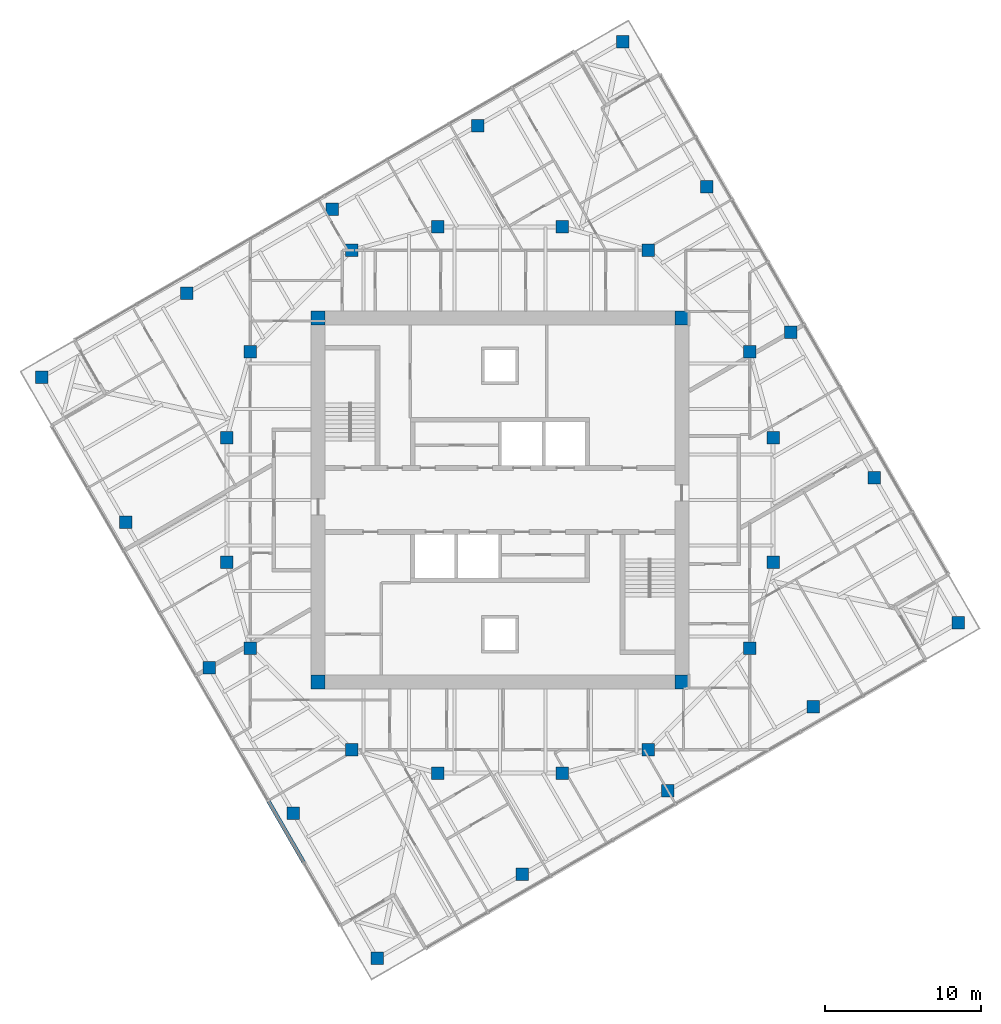
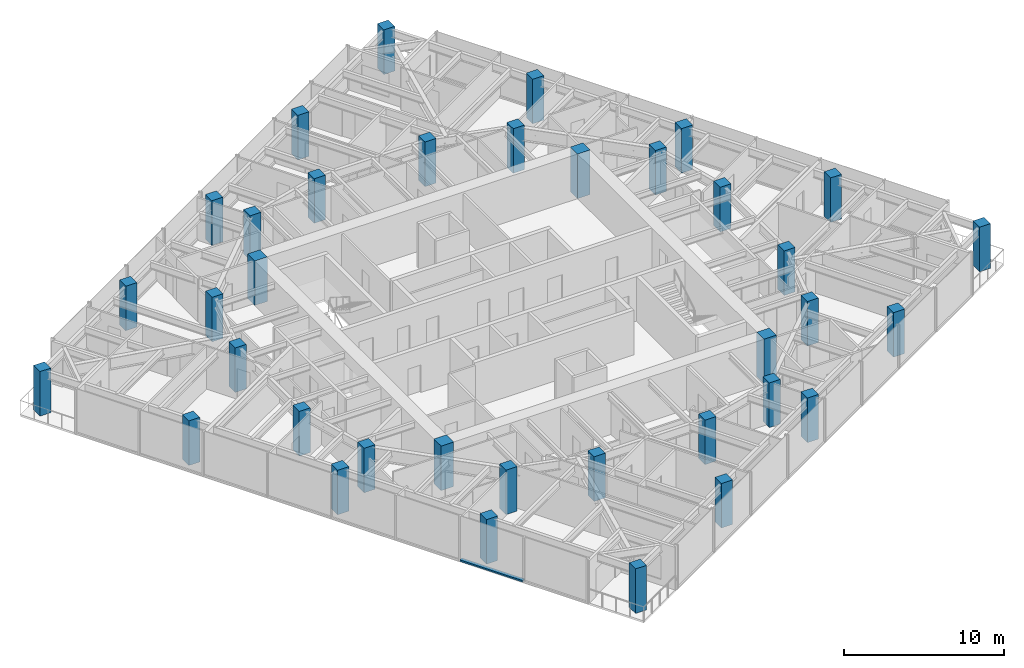
# One storey, part 1 of 12: 36 columns, 1 member, 1 element without a shape of its own.
"""IFC4 building model written with IfcOpenShell, lengths in metres."""

from ifc_helpers import new_model, si_unit, direction, frame, origin, origin_2d, place, context, subcontext, project, spatial, rectangle, extrude, material, material_profile, profile_set, type_object, element, aggregate, save


model = new_model("IFC4")

# Units and contexts
model_context = context("Model", 3, precision=1e-05, world=origin(), true_north=direction((0.0, 1.0)))
body_context = subcontext(model_context, "Body", "Model", "MODEL_VIEW")
ifc_project = project(units=[si_unit("LENGTHUNIT", "METRE"), si_unit("AREAUNIT", "SQUARE_METRE"), si_unit("VOLUMEUNIT", "CUBIC_METRE"), si_unit("PLANEANGLEUNIT", "RADIAN"), si_unit("MASSUNIT", "GRAM", prefix="KILO")], contexts=[model_context])

# Site, building, storey
site_placement = place(None, origin())
site = spatial("IfcSite", under=ifc_project, at=site_placement, CompositionType="ELEMENT")
building_placement = place(site_placement, origin())
building = spatial("IfcBuilding", under=site, at=building_placement, Name="Torsade Residences", CompositionType="ELEMENT")
storey_placement = place(building_placement, frame((0.0, 0.0, 221.800048828125)))
storey = spatial("IfcBuildingStorey", under=building, at=storey_placement, Name="L61", CompositionType="ELEMENT", Elevation=221.800048828125)

# Columns
ifc_material_1 = material(Name="Concrete 80 MPa", Category="concrete")
ifc_material_profile_1 = material_profile(ifc_material_1, rectangle(XDim=0.89990234375, YDim=0.89990234375, at=origin_2d()), Name="RC 900x900")
ifc_profile_set_1 = profile_set([ifc_material_profile_1], Name="Concrete 80 MPa")
column_type_1 = type_object("IfcColumnType", Name="CORE CORNER COLUMN RC 900x900", PredefinedType="COLUMN", material=ifc_profile_set_1)
for number, where, z_axis, x_axis, name in (
    (1, (28.35009765625, 18.35009765625, 0.0), (0.0, 0.0, 1.0), (1.0, 0.0, 0.0), "Core corner column CC1 L61"),
    (2, (51.64990234375, 18.35009765625, 0.0), (0.0, 0.0, 1.0), (1.0, 0.0, 0.0), "Core corner column CC2 L61"),
    (3, (51.64990234375, 41.64990234375, 0.0), (0.0, 0.0, 1.0), (1.0, 0.0, 0.0), "Core corner column CC3 L61"),
    (4, (28.35009765625, 41.64990234375, 0.0), (0.0, 0.0, 1.0), (1.0, 0.0, 0.0), "Core corner column CC4 L61"),
):
    element("IfcColumn", number, at=place(storey_placement, frame(where, z_axis=z_axis, x_axis=x_axis)), inside=storey, type_object=column_type_1, Name=name, PredefinedType="COLUMN", context=body_context, shape_type="SweptSolid", body=[
        extrude(rectangle(XDim=0.89990234375, YDim=0.89990234375, at=origin_2d()), origin(), (0.0, 0.0, 1.0), 3.39990234375),
    ])
ifc_material_2 = material(Name="Concrete 80 MPa", Category="concrete")
ifc_material_profile_2 = material_profile(ifc_material_2, rectangle(XDim=0.800048828125, YDim=0.800048828125, at=origin_2d()), Name="RC 800x800")
ifc_profile_set_2 = profile_set([ifc_material_profile_2], Name="Concrete 80 MPa")
column_type_2 = type_object("IfcColumnType", Name="INNER RING COLUMN RC 800x800", PredefinedType="COLUMN", material=ifc_profile_set_2)
for number, where, z_axis, x_axis, name in (
    (5, (57.5, 26.0, 0.0), (0.0, 0.0, 1.0), (1.0, 0.0, 0.0), "Inner ring column IR01 L61"),
    (6, (57.5, 34.0, 0.0), (0.0, 0.0, 1.0), (1.0, 0.0, 0.0), "Inner ring column IR02 L61"),
    (7, (56.0, 39.5, 0.0), (0.0, 0.0, 1.0), (1.0, 0.0, 0.0), "Inner ring column IR03 L61"),
    (8, (49.5, 46.0, 0.0), (0.0, 0.0, 1.0), (1.0, 0.0, 0.0), "Inner ring column IR04 L61"),
    (9, (44.0, 47.5, 0.0), (0.0, 0.0, 1.0), (1.0, 0.0, 0.0), "Inner ring column IR05 L61"),
    (10, (36.0, 47.5, 0.0), (0.0, 0.0, 1.0), (1.0, 0.0, 0.0), "Inner ring column IR06 L61"),
    (11, (30.5, 46.0, 0.0), (0.0, 0.0, 1.0), (1.0, 0.0, 0.0), "Inner ring column IR07 L61"),
    (12, (24.0, 39.5, 0.0), (0.0, 0.0, 1.0), (1.0, 0.0, 0.0), "Inner ring column IR08 L61"),
    (13, (22.5, 34.0, 0.0), (0.0, 0.0, 1.0), (1.0, 0.0, 0.0), "Inner ring column IR09 L61"),
    (14, (22.5, 26.0, 0.0), (0.0, 0.0, 1.0), (1.0, 0.0, 0.0), "Inner ring column IR10 L61"),
    (15, (24.0, 20.5, 0.0), (0.0, 0.0, 1.0), (1.0, 0.0, 0.0), "Inner ring column IR11 L61"),
    (16, (30.5, 14.0, 0.0), (0.0, 0.0, 1.0), (1.0, 0.0, 0.0), "Inner ring column IR12 L61"),
    (17, (36.0, 12.5, 0.0), (0.0, 0.0, 1.0), (1.0, 0.0, 0.0), "Inner ring column IR13 L61"),
    (18, (44.0, 12.5, 0.0), (0.0, 0.0, 1.0), (1.0, 0.0, 0.0), "Inner ring column IR14 L61"),
    (19, (49.5, 14.0, 0.0), (0.0, 0.0, 1.0), (1.0, 0.0, 0.0), "Inner ring column IR15 L61"),
    (20, (56.0, 20.5, 0.0), (0.0, 0.0, 1.0), (1.0, 0.0, 0.0), "Inner ring column IR16 L61"),
):
    element("IfcColumn", number, at=place(storey_placement, frame(where, z_axis=z_axis, x_axis=x_axis)), inside=storey, type_object=column_type_2, Name=name, PredefinedType="COLUMN", context=body_context, shape_type="SweptSolid", body=[
        extrude(rectangle(XDim=0.800048828125, YDim=0.800048828125, at=origin_2d()), origin(), (0.0, 0.0, 1.0), 3.39990234375),
    ])
ifc_material_3 = material(Name="Concrete 80 MPa", Category="concrete")
ifc_material_profile_3 = material_profile(ifc_material_3, rectangle(XDim=0.800048828125, YDim=0.800048828125, at=origin_2d()), Name="RC 800x800")
ifc_profile_set_3 = profile_set([ifc_material_profile_3], Name="Concrete 80 MPa")
column_type_3 = type_object("IfcColumnType", Name="TOWER COLUMN RC 800x800", PredefinedType="COLUMN", material=ifc_profile_set_3)
for number, where, z_axis, x_axis, name in (
    (21, (32.13037109375, 0.63037109375, 0.0), (0.0, 0.0, 1.0), (1.0, 0.0, 0.0), "Column TC7-01 L61"),
    (22, (41.440185546875, 6.00537109375, 0.0), (0.0, 0.0, 1.0), (1.0, 0.0, 0.0), "Column TC7-02 L61"),
    (23, (50.75, 11.38037109375, 0.0), (0.0, 0.0, 1.0), (1.0, 0.0, 0.0), "Column TC7-03 L61"),
    (24, (60.059814453125, 16.75537109375, 0.0), (0.0, 0.0, 1.0), (1.0, 0.0, 0.0), "Column TC7-04 L61"),
    (25, (69.36962890625, 22.13037109375, 0.0), (0.0, 0.0, 1.0), (1.0, 0.0, 0.0), "Column TC7-05 L61"),
    (26, (63.99462890625, 31.440185546875, 0.0), (0.0, 0.0, 1.0), (1.0, 0.0, 0.0), "Column TC7-06 L61"),
    (27, (58.61962890625, 40.75, 0.0), (0.0, 0.0, 1.0), (1.0, 0.0, 0.0), "Column TC7-07 L61"),
    (28, (53.24462890625, 50.059814453125, 0.0), (0.0, 0.0, 1.0), (1.0, 0.0, 0.0), "Column TC7-08 L61"),
    (29, (47.86962890625, 59.36962890625, 0.0), (0.0, 0.0, 1.0), (1.0, 0.0, 0.0), "Column TC7-09 L61"),
    (30, (38.559814453125, 53.99462890625, 0.0), (0.0, 0.0, 1.0), (1.0, 0.0, 0.0), "Column TC7-10 L61"),
    (31, (29.25, 48.61962890625, 0.0), (0.0, 0.0, 1.0), (1.0, 0.0, 0.0), "Column TC7-11 L61"),
    (32, (19.940185546875, 43.24462890625, 0.0), (0.0, 0.0, 1.0), (1.0, 0.0, 0.0), "Column TC7-12 L61"),
    (33, (10.63037109375, 37.86962890625, 0.0), (0.0, 0.0, 1.0), (1.0, 0.0, 0.0), "Column TC7-13 L61"),
    (34, (16.00537109375, 28.559814453125, 0.0), (0.0, 0.0, 1.0), (1.0, 0.0, 0.0), "Column TC7-14 L61"),
    (35, (21.38037109375, 19.25, 0.0), (0.0, 0.0, 1.0), (1.0, 0.0, 0.0), "Column TC7-15 L61"),
    (36, (26.75537109375, 9.940185546875, 0.0), (0.0, 0.0, 1.0), (1.0, 0.0, 0.0), "Column TC7-16 L61"),
):
    element("IfcColumn", number, at=place(storey_placement, frame(where, z_axis=z_axis, x_axis=x_axis)), inside=storey, type_object=column_type_3, Name=name, PredefinedType="COLUMN", context=body_context, shape_type="SweptSolid", body=[
        extrude(rectangle(XDim=0.800048828125, YDim=0.800048828125, at=origin_2d()), origin(), (0.0, 0.0, 1.0), 3.39990234375),
    ])

# Curtain wall, member
ifc_material_4 = material(Name="Aluminium and glass", Category="aluminium")
curtain_wall_type = type_object("IfcCurtainWallType", Name="FRITTED GLASS CURTAIN WALL HIGH ZONE", PredefinedType="NOTDEFINED", material=ifc_material_4)
curtain_wall_placement = place(storey_placement, origin())
curtain_wall = element("IfcCurtainWall", 37, at=curtain_wall_placement, inside=storey, type_object=curtain_wall_type, Name="Curtain wall L61 face 10", PredefinedType="NOTDEFINED")
ifc_material_5 = material(Name="Aluminium transom", Category="aluminium")
ifc_material_profile_4 = material_profile(ifc_material_5, rectangle(XDim=0.25, YDim=0.1201171875, at=origin_2d()), Name="HIGH ZONE CURTAIN WALL TRANSOM 250x120")
ifc_profile_set_4 = profile_set([ifc_material_profile_4], Name="Aluminium transom")
member_type = type_object("IfcMemberType", Name="HIGH ZONE CURTAIN WALL TRANSOM 250x120", PredefinedType="USERDEFINED", material=ifc_profile_set_4)
member_placement = place(storey_placement, frame((25.164306640625, 10.696044921875, 0.06005859375), z_axis=(0.500015112013, -0.866016678684, 0.0), x_axis=(0.866016678684, 0.500015112013, 0.0)))
member = element("IfcMember", 38, at=member_placement, type_object=member_type, Name="Transom 7.1", ObjectType="TRANSOM", PredefinedType="USERDEFINED", context=body_context, shape_type="SweptSolid", body=[
    extrude(rectangle(XDim=0.25, YDim=0.1201171875, at=origin_2d()), origin(), (0.0, 0.0, 1.0), 4.525146484375),
])
aggregate(curtain_wall, [member])

save(model, "model.ifc")
